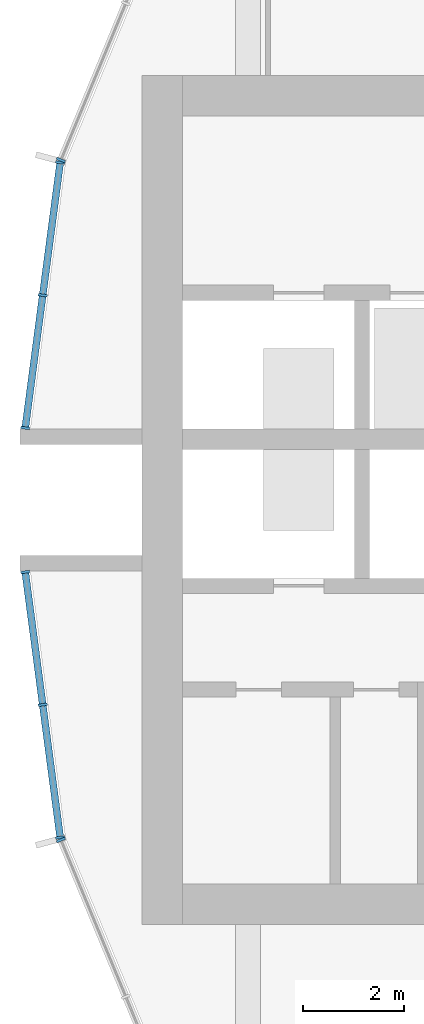
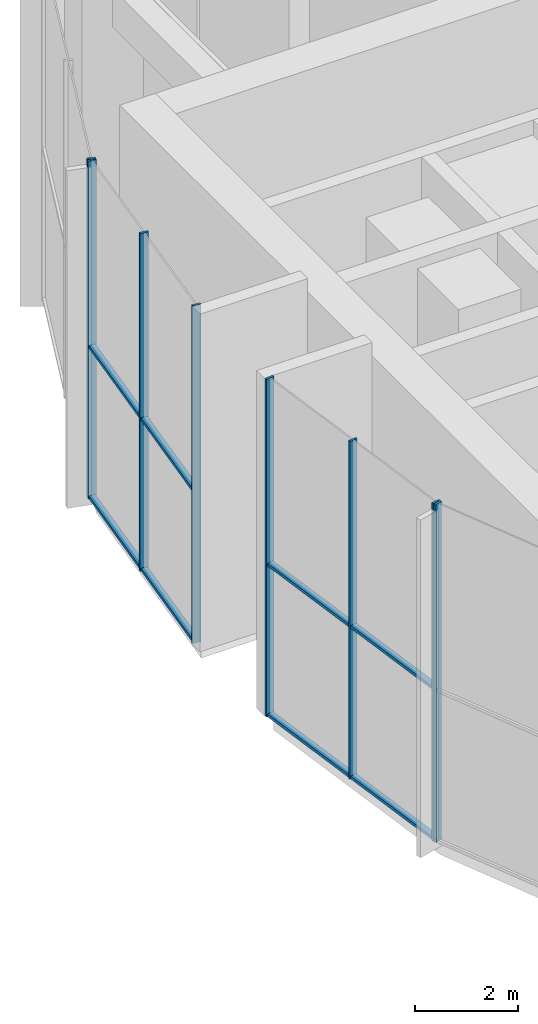
# One storey, part 4 of 18: 16 members, 4 elements without a shape of their own.
"""IFC4 building model written with IfcOpenShell, lengths in metres."""

from ifc_helpers import new_model, si_unit, direction, frame, origin, origin_2d, place, context, subcontext, project, spatial, rectangle, extrude, material, layer, layer_set, material_profile, profile_set, type_object, element, aggregate, save


model = new_model("IFC4")

# Units and contexts
model_context = context("Model", 3, precision=1e-05, world=origin(), true_north=direction((0.0, 1.0)))
body_context = subcontext(model_context, "Body", "Model", "MODEL_VIEW")
ifc_project = project(units=[si_unit("LENGTHUNIT", "METRE"), si_unit("AREAUNIT", "SQUARE_METRE"), si_unit("VOLUMEUNIT", "CUBIC_METRE"), si_unit("PLANEANGLEUNIT", "RADIAN"), si_unit("MASSUNIT", "GRAM", prefix="KILO")], contexts=[model_context])

# Site, building, storey
site_placement = place(None, origin())
site = spatial("IfcSite", under=ifc_project, at=site_placement, CompositionType="ELEMENT")
building_placement = place(site_placement, origin())
building = spatial("IfcBuilding", under=site, at=building_placement, Name="Torre Brocal", CompositionType="ELEMENT")
storey_placement = place(building_placement, frame((0.0, 0.0, 74.39990234375)))
storey = spatial("IfcBuildingStorey", under=building, at=storey_placement, Name="L17", CompositionType="ELEMENT", Elevation=74.39990234375)

# Curtain wall, member
ifc_material_1 = material(Name="Aluminium and glass", Category="aluminium")
ifc_layer = layer(ifc_material_1, 0.199951171875)
ifc_layer_set = layer_set([ifc_layer], Name="Aluminium and glass")
curtain_wall_type = type_object("IfcCurtainWallType", Name="CW-4 CURTAIN WALL 8000 HIGH", PredefinedType="NOTDEFINED", material=ifc_layer_set)
curtain_wall_1_placement = place(storey_placement, origin())
curtain_wall_1 = element("IfcCurtainWall", 1, at=curtain_wall_1_placement, inside=storey, type_object=curtain_wall_type, Name="CW-4 RUN 11", PredefinedType="NOTDEFINED")
ifc_material_2 = material(Name="Aluminium, dark anodised", Category="aluminium")
ifc_material_profile_1 = material_profile(ifc_material_2, rectangle(XDim=0.179931640625, YDim=0.050048828125, at=origin_2d()), Name="CW-4 MULLION 50X180")
ifc_profile_set_1 = profile_set([ifc_material_profile_1], Name="Aluminium, dark anodised")
member_type_1 = type_object("IfcMemberType", Name="CW-4 MULLION 50X180", PredefinedType="MULLION", material=ifc_profile_set_1)
member_1_placement = place(storey_placement, frame((54.992919921875, 81.726318359375, 0.0), z_axis=(0.0, 0.0, 1.0), x_axis=(0.923879532525, -0.382683432333, 0.0)))
member_1 = element("IfcMember", 2, at=member_1_placement, type_object=member_type_1, Name="CW4-1 mullion 3", PredefinedType="MULLION", context=body_context, shape_type="SweptSolid", body=[
    extrude(rectangle(XDim=0.179931640625, YDim=0.050048828125, at=origin_2d()), origin(), (0.0, 0.0, 1.0), 8.0),
])
aggregate(curtain_wall_1, [member_1])

# Curtain wall, members
curtain_wall_2_placement = place(storey_placement, origin())
curtain_wall_2 = element("IfcCurtainWall", 3, at=curtain_wall_2_placement, inside=storey, type_object=curtain_wall_type, Name="CW-4 RUN 12", PredefinedType="NOTDEFINED")
member_2_placement = place(storey_placement, frame((54.97998046875, 81.678466796875, 0.0), z_axis=(0.0, 0.0, 1.0), x_axis=(0.991444861374, -0.13052619222, 0.0)))
member_2 = element("IfcMember", 4, at=member_2_placement, type_object=member_type_1, Name="CW4-1 mullion 1", PredefinedType="MULLION", context=body_context, shape_type="SweptSolid", body=[
    extrude(rectangle(XDim=0.179931640625, YDim=0.050048828125, at=origin_2d()), origin(), (0.0, 0.0, 1.0), 8.0),
])
member_3_placement = place(storey_placement, frame((54.63427734375, 79.051513671875, 0.0), z_axis=(0.0, 0.0, 1.0), x_axis=(0.991444861374, -0.13052619222, 0.0)))
member_3 = element("IfcMember", 5, at=member_3_placement, type_object=member_type_1, Name="CW4-1 mullion 2", PredefinedType="MULLION", context=body_context, shape_type="SweptSolid", body=[
    extrude(rectangle(XDim=0.179931640625, YDim=0.050048828125, at=origin_2d()), origin(), (0.0, 0.0, 1.0), 8.0),
])
member_4_placement = place(storey_placement, frame((54.288330078125, 76.4248046875, 0.0), z_axis=(0.0, 0.0, 1.0), x_axis=(0.991444861374, -0.13052619222, 0.0)))
member_4 = element("IfcMember", 6, at=member_4_placement, type_object=member_type_1, Name="CW4-1 mullion 3", PredefinedType="MULLION", context=body_context, shape_type="SweptSolid", body=[
    extrude(rectangle(XDim=0.179931640625, YDim=0.050048828125, at=origin_2d()), origin(), (0.0, 0.0, 1.0), 8.0),
])

curtain_wall_3_placement = place(storey_placement, origin())
curtain_wall_3 = element("IfcCurtainWall", 7, at=curtain_wall_3_placement, inside=storey, type_object=curtain_wall_type, Name="CW-4 RUN 13", PredefinedType="NOTDEFINED")
member_5_placement = place(storey_placement, frame((54.288330078125, 73.5751953125, 0.0), z_axis=(0.0, 0.0, 1.0), x_axis=(0.991444861374, 0.13052619222, 0.0)))
member_5 = element("IfcMember", 8, at=member_5_placement, type_object=member_type_1, Name="CW4-1 mullion 1", PredefinedType="MULLION", context=body_context, shape_type="SweptSolid", body=[
    extrude(rectangle(XDim=0.179931640625, YDim=0.050048828125, at=origin_2d()), origin(), (0.0, 0.0, 1.0), 8.0),
])
member_6_placement = place(storey_placement, frame((54.63427734375, 70.948486328125, 0.0), z_axis=(0.0, 0.0, 1.0), x_axis=(0.991444861374, 0.13052619222, 0.0)))
member_6 = element("IfcMember", 9, at=member_6_placement, type_object=member_type_1, Name="CW4-1 mullion 2", PredefinedType="MULLION", context=body_context, shape_type="SweptSolid", body=[
    extrude(rectangle(XDim=0.179931640625, YDim=0.050048828125, at=origin_2d()), origin(), (0.0, 0.0, 1.0), 8.0),
])
member_7_placement = place(storey_placement, frame((54.97998046875, 68.321533203125, 0.0), z_axis=(0.0, 0.0, 1.0), x_axis=(0.991444861374, 0.13052619222, 0.0)))
member_7 = element("IfcMember", 10, at=member_7_placement, type_object=member_type_1, Name="CW4-1 mullion 3", PredefinedType="MULLION", context=body_context, shape_type="SweptSolid", body=[
    extrude(rectangle(XDim=0.179931640625, YDim=0.050048828125, at=origin_2d()), origin(), (0.0, 0.0, 1.0), 8.0),
])

# Curtain wall, member
curtain_wall_4_placement = place(storey_placement, origin())
curtain_wall_4 = element("IfcCurtainWall", 11, at=curtain_wall_4_placement, inside=storey, type_object=curtain_wall_type, Name="CW-4 RUN 14", PredefinedType="NOTDEFINED")
member_8_placement = place(storey_placement, frame((54.992919921875, 68.273681640625, 0.0), z_axis=(0.0, 0.0, 1.0), x_axis=(0.923879532525, 0.382683432333, 0.0)))
member_8 = element("IfcMember", 12, at=member_8_placement, type_object=member_type_1, Name="CW4-1 mullion 1", PredefinedType="MULLION", context=body_context, shape_type="SweptSolid", body=[
    extrude(rectangle(XDim=0.179931640625, YDim=0.050048828125, at=origin_2d()), origin(), (0.0, 0.0, 1.0), 8.0),
])
aggregate(curtain_wall_4, [member_8])

# Member
ifc_material_3 = material(Name="Aluminium, dark anodised", Category="aluminium")
ifc_material_profile_2 = material_profile(ifc_material_3, rectangle(XDim=0.139892578125, YDim=0.070068359375, at=origin_2d()), Name="CW-4 TRANSOM 140X70")
ifc_profile_set_2 = profile_set([ifc_material_profile_2], Name="Aluminium, dark anodised")
member_type_2 = type_object("IfcMemberType", Name="CW-4 TRANSOM 140X70", PredefinedType="USERDEFINED", material=ifc_profile_set_2)
member_9_placement = place(storey_placement, frame((54.976806640625, 81.653564453125, 0.03515625), z_axis=(-0.130551694767, -0.991441503566, 0.0), x_axis=(0.991441503566, -0.130551694767, 0.0)))
member_9 = element("IfcMember", 13, at=member_9_placement, type_object=member_type_2, Name="CW4-1 transom 1.1", ObjectType="TRANSOM", PredefinedType="USERDEFINED", context=body_context, shape_type="SweptSolid", body=[
    extrude(rectangle(XDim=0.139892578125, YDim=0.070068359375, at=origin_2d()), origin(), (0.0, 0.0, 1.0), 2.599365234375),
])

member_10_placement = place(storey_placement, frame((54.976806640625, 81.653564453125, 3.60009765625), z_axis=(-0.130551694767, -0.991441503566, 0.0), x_axis=(0.991441503566, -0.130551694767, 0.0)))
member_10 = element("IfcMember", 14, at=member_10_placement, type_object=member_type_2, Name="CW4-1 transom 1.2", ObjectType="TRANSOM", PredefinedType="USERDEFINED", context=body_context, shape_type="SweptSolid", body=[
    extrude(rectangle(XDim=0.139892578125, YDim=0.070068359375, at=origin_2d()), origin(), (0.0, 0.0, 1.0), 2.599365234375),
])

member_11_placement = place(storey_placement, frame((54.631103515625, 79.02685546875, 0.03515625), z_axis=(-0.130539539143, -0.991443104127, 0.0), x_axis=(0.991443104127, -0.130539539143, 0.0)))
member_11 = element("IfcMember", 15, at=member_11_placement, type_object=member_type_2, Name="CW4-1 transom 2.1", ObjectType="TRANSOM", PredefinedType="USERDEFINED", context=body_context, shape_type="SweptSolid", body=[
    extrude(rectangle(XDim=0.139892578125, YDim=0.070068359375, at=origin_2d()), origin(), (0.0, 0.0, 1.0), 2.599609375),
])

member_12_placement = place(storey_placement, frame((54.631103515625, 79.02685546875, 3.60009765625), z_axis=(-0.130539539143, -0.991443104127, 0.0), x_axis=(0.991443104127, -0.130539539143, 0.0)))
member_12 = element("IfcMember", 16, at=member_12_placement, type_object=member_type_2, Name="CW4-1 transom 2.2", ObjectType="TRANSOM", PredefinedType="USERDEFINED", context=body_context, shape_type="SweptSolid", body=[
    extrude(rectangle(XDim=0.139892578125, YDim=0.070068359375, at=origin_2d()), origin(), (0.0, 0.0, 1.0), 2.599609375),
])

aggregate(curtain_wall_2, [member_2, member_3, member_4, member_9, member_10, member_11, member_12])

member_13_placement = place(storey_placement, frame((54.291748046875, 73.550537109375, 0.03515625), z_axis=(0.130539539143, -0.991443104127, 0.0), x_axis=(0.991443104127, 0.130539539143, 0.0)))
member_13 = element("IfcMember", 17, at=member_13_placement, type_object=member_type_2, Name="CW4-1 transom 1.1", ObjectType="TRANSOM", PredefinedType="USERDEFINED", context=body_context, shape_type="SweptSolid", body=[
    extrude(rectangle(XDim=0.139892578125, YDim=0.070068359375, at=origin_2d()), origin(), (0.0, 0.0, 1.0), 2.599609375),
])

member_14_placement = place(storey_placement, frame((54.291748046875, 73.550537109375, 3.60009765625), z_axis=(0.130539539143, -0.991443104127, 0.0), x_axis=(0.991443104127, 0.130539539143, 0.0)))
member_14 = element("IfcMember", 18, at=member_14_placement, type_object=member_type_2, Name="CW4-1 transom 1.2", ObjectType="TRANSOM", PredefinedType="USERDEFINED", context=body_context, shape_type="SweptSolid", body=[
    extrude(rectangle(XDim=0.139892578125, YDim=0.070068359375, at=origin_2d()), origin(), (0.0, 0.0, 1.0), 2.599609375),
])

member_15_placement = place(storey_placement, frame((54.637451171875, 70.923583984375, 0.03515625), z_axis=(0.130551694767, -0.991441503566, 0.0), x_axis=(0.991441503566, 0.130551694767, 0.0)))
member_15 = element("IfcMember", 19, at=member_15_placement, type_object=member_type_2, Name="CW4-1 transom 2.1", ObjectType="TRANSOM", PredefinedType="USERDEFINED", context=body_context, shape_type="SweptSolid", body=[
    extrude(rectangle(XDim=0.139892578125, YDim=0.070068359375, at=origin_2d()), origin(), (0.0, 0.0, 1.0), 2.599365234375),
])

member_16_placement = place(storey_placement, frame((54.637451171875, 70.923583984375, 3.60009765625), z_axis=(0.130551694767, -0.991441503566, 0.0), x_axis=(0.991441503566, 0.130551694767, 0.0)))
member_16 = element("IfcMember", 20, at=member_16_placement, type_object=member_type_2, Name="CW4-1 transom 2.2", ObjectType="TRANSOM", PredefinedType="USERDEFINED", context=body_context, shape_type="SweptSolid", body=[
    extrude(rectangle(XDim=0.139892578125, YDim=0.070068359375, at=origin_2d()), origin(), (0.0, 0.0, 1.0), 2.599365234375),
])

aggregate(curtain_wall_3, [member_5, member_6, member_7, member_13, member_14, member_15, member_16])

save(model, "model.ifc")
